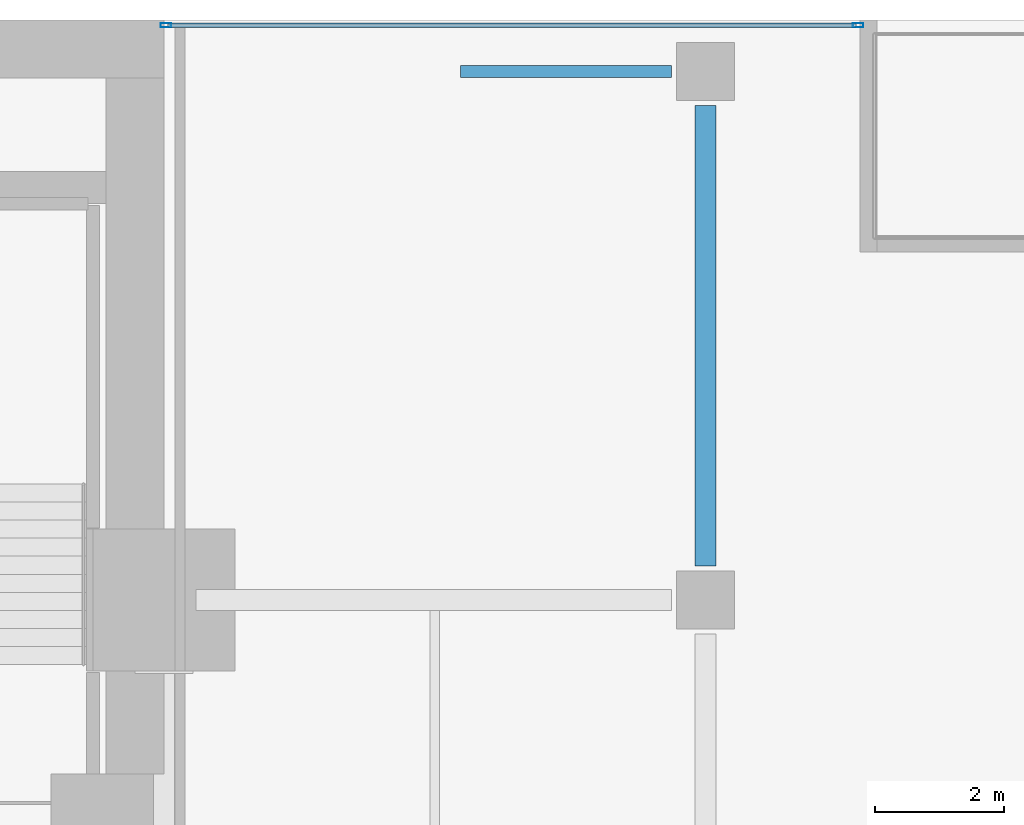
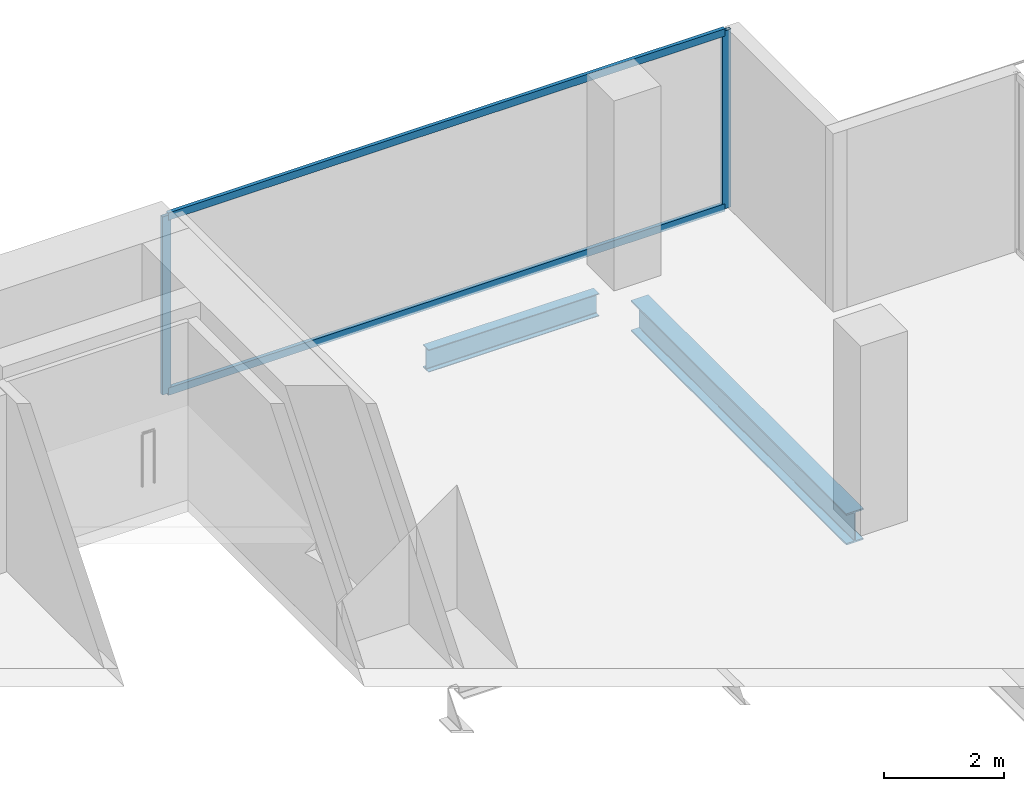
# One storey, part 17 of 31: 4 members, 2 beams, 1 element without a shape of its own.
"""IFC4 building model written with IfcOpenShell, lengths in metres."""

from ifc_helpers import new_model, si_unit, direction, frame, origin, origin_2d, place, context, subcontext, project, spatial, hollow_rectangle, i_section, extrude, material, layer, layer_set, material_profile, profile_set, type_object, element, aggregate, save


model = new_model("IFC4")

# Units and contexts
model_context = context("Model", 3, precision=1e-05, world=origin(), true_north=direction((0.0, 1.0)))
body_context = subcontext(model_context, "Body", "Model", "MODEL_VIEW")
ifc_project = project(units=[si_unit("LENGTHUNIT", "METRE"), si_unit("AREAUNIT", "SQUARE_METRE"), si_unit("VOLUMEUNIT", "CUBIC_METRE"), si_unit("PLANEANGLEUNIT", "RADIAN"), si_unit("MASSUNIT", "GRAM", prefix="KILO")], contexts=[model_context])

# Site, building, storey
site_placement = place(None, origin())
site = spatial("IfcSite", under=ifc_project, at=site_placement, CompositionType="ELEMENT")
building_placement = place(site_placement, origin())
building = spatial("IfcBuilding", under=site, at=building_placement, Name="Maruvema Waterfront Hotel and Observation Tower", CompositionType="ELEMENT")
storey_placement = place(building_placement, frame((0.0, 0.0, 26.949951171875)))
storey = spatial("IfcBuildingStorey", under=building, at=storey_placement, Name="L05", CompositionType="ELEMENT", Elevation=26.949951171875)

# Curtain wall, members
ifc_material_1 = material(Name="Anodised bronze aluminium and solar-control low-E IGU", Category="aluminium")
ifc_layer = layer(ifc_material_1, 0.159912109375, Name="Zone 1 Bronze Inner Thermal Curtain Wall System CW-02")
ifc_layer_set = layer_set([ifc_layer], Name="Anodised bronze aluminium and solar-control low-E IGU")
curtain_wall_type = type_object("IfcCurtainWallType", Name="Zone 1 Bronze Inner Thermal Curtain Wall System CW-02", PredefinedType="USERDEFINED", material=ifc_layer_set)
curtain_wall_placement = place(storey_placement, origin())
curtain_wall = element("IfcCurtainWall", 1, at=curtain_wall_placement, inside=storey, type_object=curtain_wall_type, Name="L05 Curtain Wall CW-L05-NE", ObjectType="UNITISED CURTAIN WALL", PredefinedType="USERDEFINED")
ifc_material_2 = material(Name="Anodised architectural bronze aluminium", Category="aluminium")
ifc_material_profile_1 = material_profile(ifc_material_2, hollow_rectangle(XDim=0.070068359375, YDim=0.14990234375, WallThickness=0.00390625, at=origin_2d()), Name="ALU-T70x150")
ifc_profile_set_1 = profile_set([ifc_material_profile_1], Name="Anodised architectural bronze aluminium")
member_type_1 = type_object("IfcMemberType", Name="Curtain Wall Horizontal Transom ALU-T70x150", PredefinedType="USERDEFINED", material=ifc_profile_set_1)
member_1_placement = place(storey_placement, frame((61.139892578125, 53.919921875, 0.030029296875), z_axis=(-1.0, 0.0, 0.0), x_axis=(0.0, -1.0, 0.0)))
member_1 = element("IfcMember", 2, at=member_1_placement, type_object=member_type_1, Name="CW-02 transom 1.1", ObjectType="TRANSOM", PredefinedType="USERDEFINED", context=body_context, shape_type="SweptSolid", body=[
    extrude(hollow_rectangle(XDim=0.070068359375, YDim=0.14990234375, WallThickness=0.00390625, at=origin_2d()), origin(), (0.0, 0.0, 1.0), 10.679931640625),
])
member_2_placement = place(storey_placement, frame((61.139892578125, 53.919921875, 3.580078125), z_axis=(-1.0, 0.0, 0.0), x_axis=(0.0, -1.0, 0.0)))
member_2 = element("IfcMember", 3, at=member_2_placement, type_object=member_type_1, Name="CW-02 transom 1.2", ObjectType="TRANSOM", PredefinedType="USERDEFINED", context=body_context, shape_type="SweptSolid", body=[
    extrude(hollow_rectangle(XDim=0.070068359375, YDim=0.14990234375, WallThickness=0.00390625, at=origin_2d()), origin(), (0.0, 0.0, 1.0), 10.679931640625),
])
ifc_material_3 = material(Name="Anodised architectural bronze aluminium", Category="aluminium")
ifc_material_profile_2 = material_profile(ifc_material_3, hollow_rectangle(XDim=0.06494140625, YDim=0.1650390625, WallThickness=0.00390625, at=origin_2d()), Name="ALU-M65x165")
ifc_profile_set_2 = profile_set([ifc_material_profile_2], Name="Anodised architectural bronze aluminium")
member_type_2 = type_object("IfcMemberType", Name="Curtain Wall Primary Mullion ALU-M65x165", PredefinedType="MULLION", material=ifc_profile_set_2)
member_3_placement = place(storey_placement, frame((61.169921875, 53.919921875, 0.0), z_axis=(0.0, 0.0, 1.0), x_axis=(0.0, -1.0, 0.0)))
member_3 = element("IfcMember", 4, at=member_3_placement, type_object=member_type_2, Name="CW-02 mullion 1", PredefinedType="MULLION", context=body_context, shape_type="SweptSolid", body=[
    extrude(hollow_rectangle(XDim=0.06494140625, YDim=0.1650390625, WallThickness=0.00390625, at=origin_2d()), origin(), (0.0, 0.0, 1.0), 3.610107421875),
])
member_4_placement = place(storey_placement, frame((50.429931640625, 53.919921875, 0.0), z_axis=(0.0, 0.0, 1.0), x_axis=(0.0, -1.0, 0.0)))
member_4 = element("IfcMember", 5, at=member_4_placement, type_object=member_type_2, Name="CW-02 mullion 2", PredefinedType="MULLION", context=body_context, shape_type="SweptSolid", body=[
    extrude(hollow_rectangle(XDim=0.06494140625, YDim=0.1650390625, WallThickness=0.00390625, at=origin_2d()), origin(), (0.0, 0.0, 1.0), 3.610107421875),
])
aggregate(curtain_wall, [member_3, member_4, member_1, member_2])

# Beams
ifc_material_4 = material(Name="Steel ASTM A572 Grade 50", Category="steel")
ifc_material_profile_3 = material_profile(ifc_material_4, i_section(OverallWidth=0.18994140625, OverallDepth=0.45703125, WebThickness=0.009033203125, FlangeThickness=0.014404296875, FilletRadius=0.014892578125, at=origin_2d()), Name="W460x74.0")
ifc_profile_set_3 = profile_set([ifc_material_profile_3], Name="Steel ASTM A572 Grade 50")
beam_type_1 = type_object("IfcBeamType", Name="Perimeter Spandrel Beam W460x74.0", PredefinedType="SPANDREL", material=ifc_profile_set_3)
beam_1_placement = place(storey_placement, frame((55.0, 53.199951171875, -0.468505859375), z_axis=(1.0, 0.0, 0.0), x_axis=(0.0, 1.0, 0.0)))
element("IfcBeam", 6, at=beam_1_placement, inside=storey, type_object=beam_type_1, Name="L05 Floor Girder EW-23", PredefinedType="SPANDREL", context=body_context, shape_type="SweptSolid", body=[
    extrude(i_section(OverallWidth=0.18994140625, OverallDepth=0.45703125, WebThickness=0.009033203125, FlangeThickness=0.014404296875, FilletRadius=0.014892578125, at=origin_2d()), origin(), (0.0, 0.0, 1.0), 3.27490234375),
])
ifc_material_5 = material(Name="Steel ASTM A572 Grade 50", Category="steel")
ifc_material_profile_4 = material_profile(ifc_material_5, i_section(OverallWidth=0.3291015625, OverallDepth=0.635009765625, WebThickness=0.017822265625, FlangeThickness=0.031005859375, FilletRadius=0.01806640625, at=origin_2d()), Name="W610x241.0")
ifc_profile_set_4 = profile_set([ifc_material_profile_4], Name="Steel ASTM A572 Grade 50")
beam_type_2 = type_object("IfcBeamType", Name="Primary Floor Girder W610x241.0", PredefinedType="BEAM", material=ifc_profile_set_4)
beam_2_placement = place(storey_placement, frame((58.800048828125, 45.52490234375, -0.557373046875), z_axis=(0.0, 1.0, 0.0), x_axis=(-1.0, 0.0, 0.0)))
element("IfcBeam", 7, at=beam_2_placement, inside=storey, type_object=beam_type_2, Name="L05 Floor Girder NS-22", PredefinedType="BEAM", context=body_context, shape_type="SweptSolid", body=[
    extrude(i_section(OverallWidth=0.3291015625, OverallDepth=0.635009765625, WebThickness=0.017822265625, FlangeThickness=0.031005859375, FilletRadius=0.01806640625, at=origin_2d()), origin(), (0.0, 0.0, 1.0), 7.150146484375),
])

save(model, "model.ifc")
